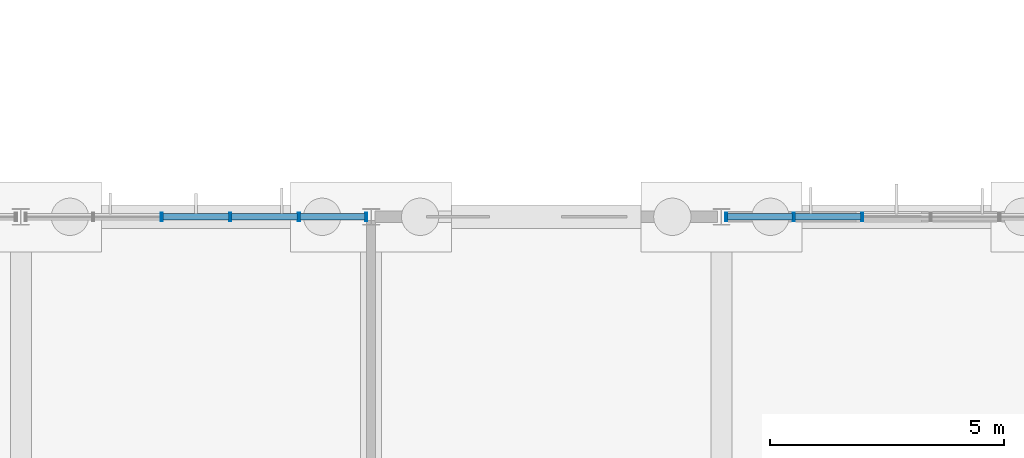
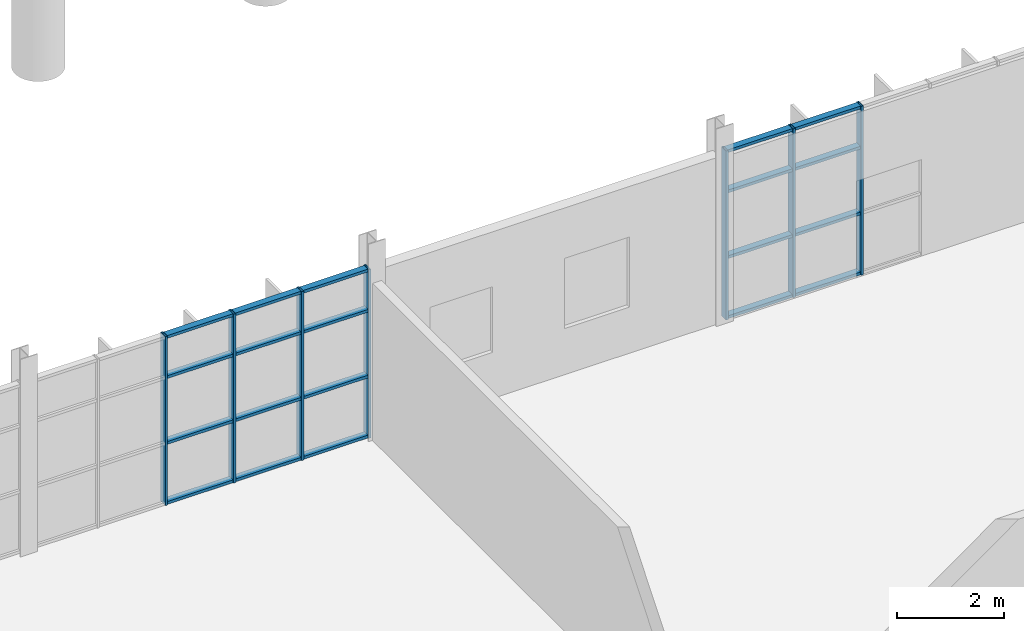
# One storey, part 38 of 136: 27 members, 2 elements without a shape of their own.
"""IFC4 building model written with IfcOpenShell, lengths in metres."""

from ifc_helpers import new_model, si_unit, direction, frame, origin, origin_2d, place, context, subcontext, project, spatial, hollow_rectangle, extrude, material, layer, layer_set, material_profile, profile_set, type_object, element, aggregate, save


model = new_model("IFC4")

# Units and contexts
model_context = context("Model", 3, precision=1e-05, world=origin(), true_north=direction((0.0, 1.0)))
body_context = subcontext(model_context, "Body", "Model", "MODEL_VIEW")
ifc_project = project(units=[si_unit("LENGTHUNIT", "METRE"), si_unit("AREAUNIT", "SQUARE_METRE"), si_unit("VOLUMEUNIT", "CUBIC_METRE"), si_unit("PLANEANGLEUNIT", "RADIAN"), si_unit("MASSUNIT", "GRAM", prefix="KILO")], contexts=[model_context])

# Site, building, storey
site_placement = place(None, origin())
site = spatial("IfcSite", under=ifc_project, at=site_placement, CompositionType="ELEMENT")
building_placement = place(site_placement, origin())
building = spatial("IfcBuilding", under=site, at=building_placement, Name="Solvenia Promenade Tram Depot", CompositionType="ELEMENT")
storey_placement = place(building_placement, origin())
storey = spatial("IfcBuildingStorey", under=building, at=storey_placement, Name="L00", CompositionType="ELEMENT", Elevation=0.0)

# Curtain wall, members
ifc_material = material(Name="Anodized aluminium AW-6063 T6", Category="aluminium")
ifc_layer = layer(ifc_material, 0.14990234375, Name="Anodized aluminium AW-6063 T6", Category="aluminium")
ifc_layer_set = layer_set([ifc_layer], Name="Anodized aluminium AW-6063 T6")
curtain_wall_type = type_object("IfcCurtainWallType", Name="CW-Court-1500", PredefinedType="NOTDEFINED", material=ifc_layer_set)
curtain_wall_1_placement = place(storey_placement, origin())
curtain_wall_1 = element("IfcCurtainWall", 1, at=curtain_wall_1_placement, inside=storey, type_object=curtain_wall_type, Name="Curtain Wall CW-V4N-L00-09", PredefinedType="NOTDEFINED")
ifc_material_profile_1 = material_profile(ifc_material, hollow_rectangle(XDim=0.179931640625, YDim=0.050048828125, WallThickness=0.00390625, at=origin_2d()), Name="ALU-M2", Category="aluminium")
ifc_profile_set_1 = profile_set([ifc_material_profile_1], Name="Anodized aluminium AW-6063 T6")
member_type_1 = type_object("IfcMemberType", Name="CWM-Mullion-2", PredefinedType="MULLION", material=ifc_profile_set_1)
member_1_placement = place(storey_placement, frame((63.01611328125, 24.0, 0.0), z_axis=(0.0, 0.0, 1.0), x_axis=(0.0, 1.0, 0.0)))
member_1 = element("IfcMember", 2, at=member_1_placement, type_object=member_type_1, Name="CW-5 mullion 3", PredefinedType="MULLION", context=body_context, shape_type="SweptSolid", body=[
    extrude(hollow_rectangle(XDim=0.179931640625, YDim=0.050048828125, WallThickness=0.00390625, at=origin_2d()), origin(), (0.0, 0.0, 1.0), 3.85009765625),
])
member_2_placement = place(storey_placement, frame((64.48388671875, 24.0, 0.0), z_axis=(0.0, 0.0, 1.0), x_axis=(0.0, 1.0, 0.0)))
member_2 = element("IfcMember", 3, at=member_2_placement, type_object=member_type_1, Name="CW-5 mullion 4", PredefinedType="MULLION", context=body_context, shape_type="SweptSolid", body=[
    extrude(hollow_rectangle(XDim=0.179931640625, YDim=0.050048828125, WallThickness=0.00390625, at=origin_2d()), origin(), (0.0, 0.0, 1.0), 3.85009765625),
])
member_3_placement = place(storey_placement, frame((65.951904296875, 24.0, 0.0), z_axis=(0.0, 0.0, 1.0), x_axis=(0.0, 1.0, 0.0)))
member_3 = element("IfcMember", 4, at=member_3_placement, type_object=member_type_1, Name="CW-5 mullion 5", PredefinedType="MULLION", context=body_context, shape_type="SweptSolid", body=[
    extrude(hollow_rectangle(XDim=0.179931640625, YDim=0.050048828125, WallThickness=0.00390625, at=origin_2d()), origin(), (0.0, 0.0, 1.0), 3.85009765625),
])
member_4_placement = place(storey_placement, frame((67.39501953125, 24.0, 0.0), z_axis=(0.0, 0.0, 1.0), x_axis=(0.0, 1.0, 0.0)))
member_4 = element("IfcMember", 5, at=member_4_placement, type_object=member_type_1, Name="CW-5 mullion 6", PredefinedType="MULLION", context=body_context, shape_type="SweptSolid", body=[
    extrude(hollow_rectangle(XDim=0.179931640625, YDim=0.050048828125, WallThickness=0.00390625, at=origin_2d()), origin(), (0.0, 0.0, 1.0), 3.85009765625),
])

curtain_wall_2_placement = place(storey_placement, origin())
curtain_wall_2 = element("IfcCurtainWall", 6, at=curtain_wall_2_placement, inside=storey, type_object=curtain_wall_type, Name="Curtain Wall CW-V4N-L00-11", PredefinedType="NOTDEFINED")
member_5_placement = place(storey_placement, frame((75.10498046875, 24.0, 0.0), z_axis=(0.0, 0.0, 1.0), x_axis=(0.0, 1.0, 0.0)))
member_5 = element("IfcMember", 7, at=member_5_placement, type_object=member_type_1, Name="CW-5 mullion 1", PredefinedType="MULLION", context=body_context, shape_type="SweptSolid", body=[
    extrude(hollow_rectangle(XDim=0.179931640625, YDim=0.050048828125, WallThickness=0.00390625, at=origin_2d()), origin(), (0.0, 0.0, 1.0), 3.85009765625),
])
member_6_placement = place(storey_placement, frame((76.548095703125, 24.0, 0.0), z_axis=(0.0, 0.0, 1.0), x_axis=(0.0, 1.0, 0.0)))
member_6 = element("IfcMember", 8, at=member_6_placement, type_object=member_type_1, Name="CW-5 mullion 2", PredefinedType="MULLION", context=body_context, shape_type="SweptSolid", body=[
    extrude(hollow_rectangle(XDim=0.179931640625, YDim=0.050048828125, WallThickness=0.00390625, at=origin_2d()), origin(), (0.0, 0.0, 1.0), 3.85009765625),
])
member_7_placement = place(storey_placement, frame((78.01611328125, 24.0, 0.0), z_axis=(0.0, 0.0, 1.0), x_axis=(0.0, 1.0, 0.0)))
member_7 = element("IfcMember", 9, at=member_7_placement, type_object=member_type_1, Name="CW-5 mullion 3", PredefinedType="MULLION", context=body_context, shape_type="SweptSolid", body=[
    extrude(hollow_rectangle(XDim=0.179931640625, YDim=0.050048828125, WallThickness=0.00390625, at=origin_2d()), origin(), (0.0, 0.0, 1.0), 3.85009765625),
])

# Member
ifc_material_profile_2 = material_profile(ifc_material, hollow_rectangle(XDim=0.139892578125, YDim=0.06494140625, WallThickness=0.00390625, at=origin_2d()), Name="ALU-T2", Category="aluminium")
ifc_profile_set_2 = profile_set([ifc_material_profile_2], Name="Anodized aluminium AW-6063 T6")
member_type_2 = type_object("IfcMemberType", Name="CWT-Transom-2", PredefinedType="USERDEFINED", material=ifc_profile_set_2)
member_8_placement = place(storey_placement, frame((63.041015625, 24.0, 0.032470703125), z_axis=(1.0, 0.0, 0.0), x_axis=(0.0, 1.0, 0.0)))
member_8 = element("IfcMember", 10, at=member_8_placement, type_object=member_type_2, Name="CW-5 transom 3.1", ObjectType="TRANSOM", PredefinedType="USERDEFINED", context=body_context, shape_type="SweptSolid", body=[
    extrude(hollow_rectangle(XDim=0.139892578125, YDim=0.06494140625, WallThickness=0.00390625, at=origin_2d()), origin(), (0.0, 0.0, 1.0), 1.41796875),
])

member_9_placement = place(storey_placement, frame((63.041015625, 24.0, 1.39990234375), z_axis=(1.0, 0.0, 0.0), x_axis=(0.0, 1.0, 0.0)))
member_9 = element("IfcMember", 11, at=member_9_placement, type_object=member_type_2, Name="CW-5 transom 3.2", ObjectType="TRANSOM", PredefinedType="USERDEFINED", context=body_context, shape_type="SweptSolid", body=[
    extrude(hollow_rectangle(XDim=0.139892578125, YDim=0.06494140625, WallThickness=0.00390625, at=origin_2d()), origin(), (0.0, 0.0, 1.0), 1.41796875),
])

member_10_placement = place(storey_placement, frame((63.041015625, 24.0, 2.89990234375), z_axis=(1.0, 0.0, 0.0), x_axis=(0.0, 1.0, 0.0)))
member_10 = element("IfcMember", 12, at=member_10_placement, type_object=member_type_2, Name="CW-5 transom 3.3", ObjectType="TRANSOM", PredefinedType="USERDEFINED", context=body_context, shape_type="SweptSolid", body=[
    extrude(hollow_rectangle(XDim=0.139892578125, YDim=0.06494140625, WallThickness=0.00390625, at=origin_2d()), origin(), (0.0, 0.0, 1.0), 1.41796875),
])

member_11_placement = place(storey_placement, frame((63.041015625, 24.0, 3.8173828125), z_axis=(1.0, 0.0, 0.0), x_axis=(0.0, 1.0, 0.0)))
member_11 = element("IfcMember", 13, at=member_11_placement, type_object=member_type_2, Name="CW-5 transom 3.4", ObjectType="TRANSOM", PredefinedType="USERDEFINED", context=body_context, shape_type="SweptSolid", body=[
    extrude(hollow_rectangle(XDim=0.139892578125, YDim=0.06494140625, WallThickness=0.00390625, at=origin_2d()), origin(), (0.0, 0.0, 1.0), 1.41796875),
])

member_12_placement = place(storey_placement, frame((64.509033203125, 24.0, 0.032470703125), z_axis=(1.0, 0.0, 0.0), x_axis=(0.0, 1.0, 0.0)))
member_12 = element("IfcMember", 14, at=member_12_placement, type_object=member_type_2, Name="CW-5 transom 4.1", ObjectType="TRANSOM", PredefinedType="USERDEFINED", context=body_context, shape_type="SweptSolid", body=[
    extrude(hollow_rectangle(XDim=0.139892578125, YDim=0.06494140625, WallThickness=0.00390625, at=origin_2d()), origin(), (0.0, 0.0, 1.0), 1.41796875),
])

member_13_placement = place(storey_placement, frame((64.509033203125, 24.0, 1.39990234375), z_axis=(1.0, 0.0, 0.0), x_axis=(0.0, 1.0, 0.0)))
member_13 = element("IfcMember", 15, at=member_13_placement, type_object=member_type_2, Name="CW-5 transom 4.2", ObjectType="TRANSOM", PredefinedType="USERDEFINED", context=body_context, shape_type="SweptSolid", body=[
    extrude(hollow_rectangle(XDim=0.139892578125, YDim=0.06494140625, WallThickness=0.00390625, at=origin_2d()), origin(), (0.0, 0.0, 1.0), 1.41796875),
])

member_14_placement = place(storey_placement, frame((64.509033203125, 24.0, 2.89990234375), z_axis=(1.0, 0.0, 0.0), x_axis=(0.0, 1.0, 0.0)))
member_14 = element("IfcMember", 16, at=member_14_placement, type_object=member_type_2, Name="CW-5 transom 4.3", ObjectType="TRANSOM", PredefinedType="USERDEFINED", context=body_context, shape_type="SweptSolid", body=[
    extrude(hollow_rectangle(XDim=0.139892578125, YDim=0.06494140625, WallThickness=0.00390625, at=origin_2d()), origin(), (0.0, 0.0, 1.0), 1.41796875),
])

member_15_placement = place(storey_placement, frame((64.509033203125, 24.0, 3.8173828125), z_axis=(1.0, 0.0, 0.0), x_axis=(0.0, 1.0, 0.0)))
member_15 = element("IfcMember", 17, at=member_15_placement, type_object=member_type_2, Name="CW-5 transom 4.4", ObjectType="TRANSOM", PredefinedType="USERDEFINED", context=body_context, shape_type="SweptSolid", body=[
    extrude(hollow_rectangle(XDim=0.139892578125, YDim=0.06494140625, WallThickness=0.00390625, at=origin_2d()), origin(), (0.0, 0.0, 1.0), 1.41796875),
])

member_16_placement = place(storey_placement, frame((65.97705078125, 24.0, 0.032470703125), z_axis=(1.0, 0.0, 0.0), x_axis=(0.0, 1.0, 0.0)))
member_16 = element("IfcMember", 18, at=member_16_placement, type_object=member_type_2, Name="CW-5 transom 5.1", ObjectType="TRANSOM", PredefinedType="USERDEFINED", context=body_context, shape_type="SweptSolid", body=[
    extrude(hollow_rectangle(XDim=0.139892578125, YDim=0.06494140625, WallThickness=0.00390625, at=origin_2d()), origin(), (0.0, 0.0, 1.0), 1.39306640625),
])

member_17_placement = place(storey_placement, frame((65.97705078125, 24.0, 1.39990234375), z_axis=(1.0, 0.0, 0.0), x_axis=(0.0, 1.0, 0.0)))
member_17 = element("IfcMember", 19, at=member_17_placement, type_object=member_type_2, Name="CW-5 transom 5.2", ObjectType="TRANSOM", PredefinedType="USERDEFINED", context=body_context, shape_type="SweptSolid", body=[
    extrude(hollow_rectangle(XDim=0.139892578125, YDim=0.06494140625, WallThickness=0.00390625, at=origin_2d()), origin(), (0.0, 0.0, 1.0), 1.39306640625),
])

member_18_placement = place(storey_placement, frame((65.97705078125, 24.0, 2.89990234375), z_axis=(1.0, 0.0, 0.0), x_axis=(0.0, 1.0, 0.0)))
member_18 = element("IfcMember", 20, at=member_18_placement, type_object=member_type_2, Name="CW-5 transom 5.3", ObjectType="TRANSOM", PredefinedType="USERDEFINED", context=body_context, shape_type="SweptSolid", body=[
    extrude(hollow_rectangle(XDim=0.139892578125, YDim=0.06494140625, WallThickness=0.00390625, at=origin_2d()), origin(), (0.0, 0.0, 1.0), 1.39306640625),
])

member_19_placement = place(storey_placement, frame((65.97705078125, 24.0, 3.8173828125), z_axis=(1.0, 0.0, 0.0), x_axis=(0.0, 1.0, 0.0)))
member_19 = element("IfcMember", 21, at=member_19_placement, type_object=member_type_2, Name="CW-5 transom 5.4", ObjectType="TRANSOM", PredefinedType="USERDEFINED", context=body_context, shape_type="SweptSolid", body=[
    extrude(hollow_rectangle(XDim=0.139892578125, YDim=0.06494140625, WallThickness=0.00390625, at=origin_2d()), origin(), (0.0, 0.0, 1.0), 1.39306640625),
])

aggregate(curtain_wall_1, [member_1, member_2, member_3, member_4, member_8, member_9, member_10, member_11, member_12, member_13, member_14, member_15, member_16, member_17, member_18, member_19])

member_20_placement = place(storey_placement, frame((75.1298828125, 24.0, 0.032470703125), z_axis=(1.0, 0.0, 0.0), x_axis=(0.0, 1.0, 0.0)))
member_20 = element("IfcMember", 22, at=member_20_placement, type_object=member_type_2, Name="CW-5 transom 1.1", ObjectType="TRANSOM", PredefinedType="USERDEFINED", context=body_context, shape_type="SweptSolid", body=[
    extrude(hollow_rectangle(XDim=0.139892578125, YDim=0.06494140625, WallThickness=0.00390625, at=origin_2d()), origin(), (0.0, 0.0, 1.0), 1.39306640625),
])

member_21_placement = place(storey_placement, frame((75.1298828125, 24.0, 1.39990234375), z_axis=(1.0, 0.0, 0.0), x_axis=(0.0, 1.0, 0.0)))
member_21 = element("IfcMember", 23, at=member_21_placement, type_object=member_type_2, Name="CW-5 transom 1.2", ObjectType="TRANSOM", PredefinedType="USERDEFINED", context=body_context, shape_type="SweptSolid", body=[
    extrude(hollow_rectangle(XDim=0.139892578125, YDim=0.06494140625, WallThickness=0.00390625, at=origin_2d()), origin(), (0.0, 0.0, 1.0), 1.39306640625),
])

member_22_placement = place(storey_placement, frame((75.1298828125, 24.0, 2.89990234375), z_axis=(1.0, 0.0, 0.0), x_axis=(0.0, 1.0, 0.0)))
member_22 = element("IfcMember", 24, at=member_22_placement, type_object=member_type_2, Name="CW-5 transom 1.3", ObjectType="TRANSOM", PredefinedType="USERDEFINED", context=body_context, shape_type="SweptSolid", body=[
    extrude(hollow_rectangle(XDim=0.139892578125, YDim=0.06494140625, WallThickness=0.00390625, at=origin_2d()), origin(), (0.0, 0.0, 1.0), 1.39306640625),
])

member_23_placement = place(storey_placement, frame((75.1298828125, 24.0, 3.8173828125), z_axis=(1.0, 0.0, 0.0), x_axis=(0.0, 1.0, 0.0)))
member_23 = element("IfcMember", 25, at=member_23_placement, type_object=member_type_2, Name="CW-5 transom 1.4", ObjectType="TRANSOM", PredefinedType="USERDEFINED", context=body_context, shape_type="SweptSolid", body=[
    extrude(hollow_rectangle(XDim=0.139892578125, YDim=0.06494140625, WallThickness=0.00390625, at=origin_2d()), origin(), (0.0, 0.0, 1.0), 1.39306640625),
])

member_24_placement = place(storey_placement, frame((76.572998046875, 24.0, 0.032470703125), z_axis=(1.0, 0.0, 0.0), x_axis=(0.0, 1.0, 0.0)))
member_24 = element("IfcMember", 26, at=member_24_placement, type_object=member_type_2, Name="CW-5 transom 2.1", ObjectType="TRANSOM", PredefinedType="USERDEFINED", context=body_context, shape_type="SweptSolid", body=[
    extrude(hollow_rectangle(XDim=0.139892578125, YDim=0.06494140625, WallThickness=0.00390625, at=origin_2d()), origin(), (0.0, 0.0, 1.0), 1.41796875),
])

member_25_placement = place(storey_placement, frame((76.572998046875, 24.0, 1.39990234375), z_axis=(1.0, 0.0, 0.0), x_axis=(0.0, 1.0, 0.0)))
member_25 = element("IfcMember", 27, at=member_25_placement, type_object=member_type_2, Name="CW-5 transom 2.2", ObjectType="TRANSOM", PredefinedType="USERDEFINED", context=body_context, shape_type="SweptSolid", body=[
    extrude(hollow_rectangle(XDim=0.139892578125, YDim=0.06494140625, WallThickness=0.00390625, at=origin_2d()), origin(), (0.0, 0.0, 1.0), 1.41796875),
])

member_26_placement = place(storey_placement, frame((76.572998046875, 24.0, 2.89990234375), z_axis=(1.0, 0.0, 0.0), x_axis=(0.0, 1.0, 0.0)))
member_26 = element("IfcMember", 28, at=member_26_placement, type_object=member_type_2, Name="CW-5 transom 2.3", ObjectType="TRANSOM", PredefinedType="USERDEFINED", context=body_context, shape_type="SweptSolid", body=[
    extrude(hollow_rectangle(XDim=0.139892578125, YDim=0.06494140625, WallThickness=0.00390625, at=origin_2d()), origin(), (0.0, 0.0, 1.0), 1.41796875),
])

member_27_placement = place(storey_placement, frame((76.572998046875, 24.0, 3.8173828125), z_axis=(1.0, 0.0, 0.0), x_axis=(0.0, 1.0, 0.0)))
member_27 = element("IfcMember", 29, at=member_27_placement, type_object=member_type_2, Name="CW-5 transom 2.4", ObjectType="TRANSOM", PredefinedType="USERDEFINED", context=body_context, shape_type="SweptSolid", body=[
    extrude(hollow_rectangle(XDim=0.139892578125, YDim=0.06494140625, WallThickness=0.00390625, at=origin_2d()), origin(), (0.0, 0.0, 1.0), 1.41796875),
])

aggregate(curtain_wall_2, [member_5, member_6, member_7, member_20, member_21, member_22, member_23, member_24, member_25, member_26, member_27])

save(model, "model.ifc")
